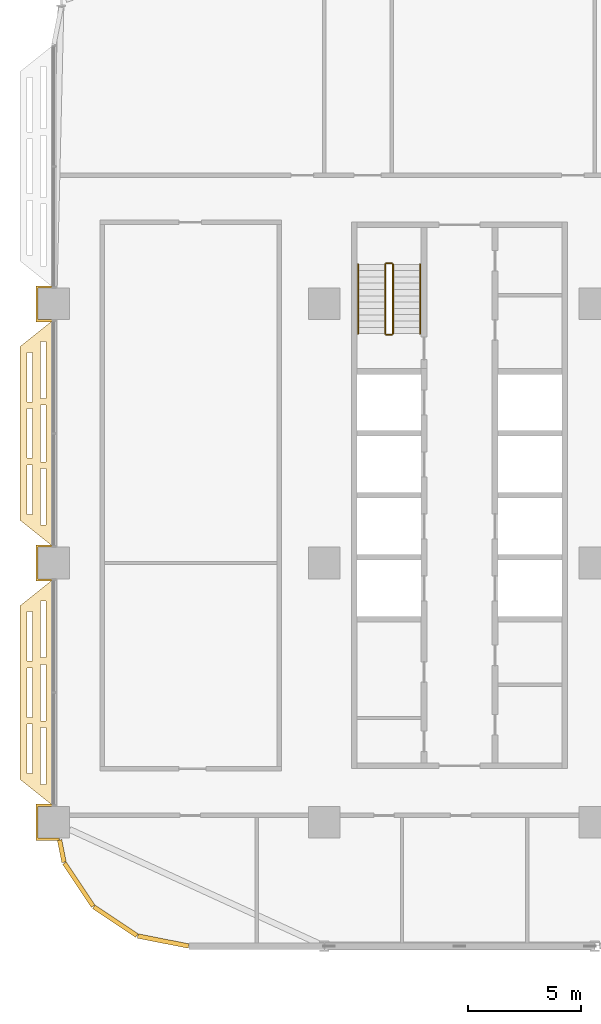
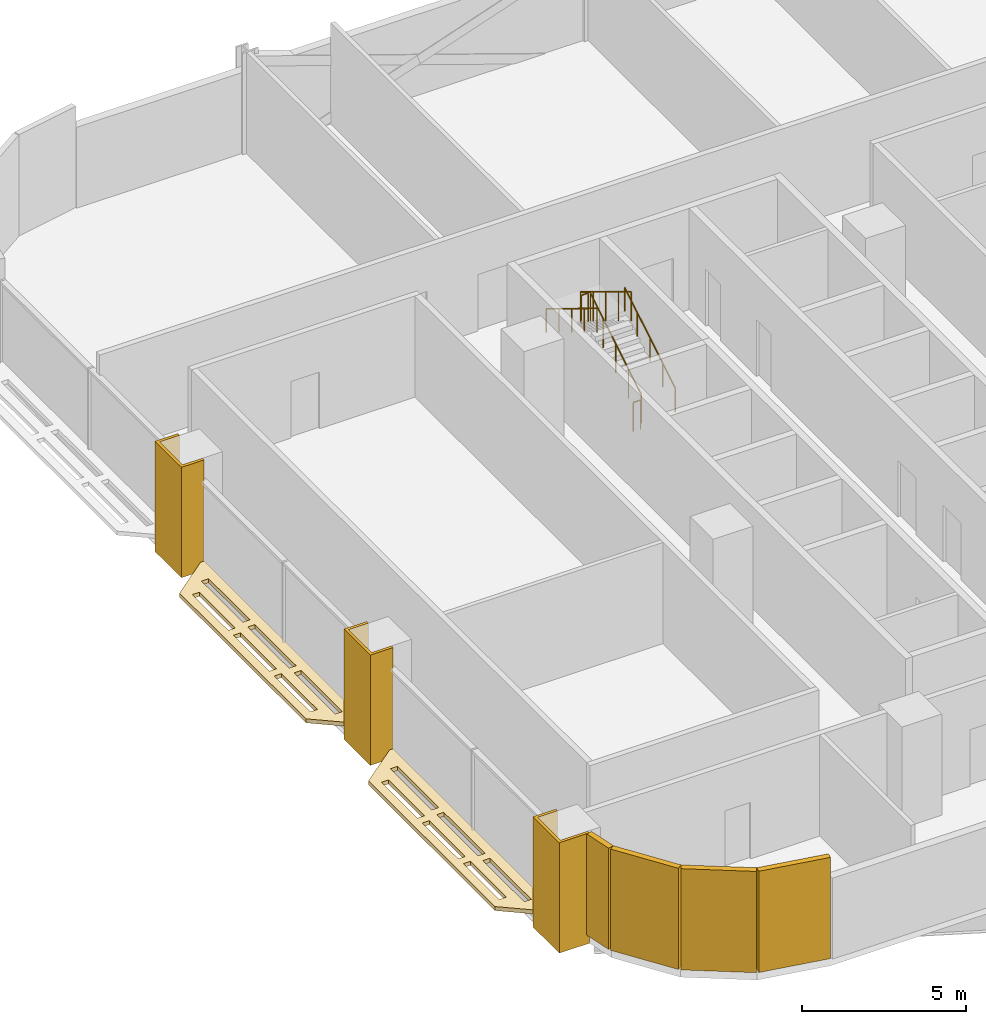
# One storey, part 23 of 29: 9 coverings, 6 railings.
"""IFC4 building model written with IfcOpenShell, lengths in metres."""

from ifc_helpers import new_model, si_unit, direction, frame, origin, origin_2d, place, context, subcontext, project, spatial, polyline, rectangle, circle, outline, extrude, material, layer, layer_set, type_object, element, save


model = new_model("IFC4")

# Units and contexts
model_context = context("Model", 3, precision=1e-05, world=origin(), true_north=direction((0.0, 1.0)))
body_context = subcontext(model_context, "Body", "Model", "MODEL_VIEW")
ifc_project = project(units=[si_unit("LENGTHUNIT", "METRE"), si_unit("AREAUNIT", "SQUARE_METRE"), si_unit("VOLUMEUNIT", "CUBIC_METRE"), si_unit("PLANEANGLEUNIT", "RADIAN"), si_unit("MASSUNIT", "GRAM", prefix="KILO")], contexts=[model_context])

# Site, building, storey
site_placement = place(None, origin())
site = spatial("IfcSite", under=ifc_project, at=site_placement, CompositionType="ELEMENT")
building_placement = place(site_placement, origin())
building = spatial("IfcBuilding", under=site, at=building_placement, Name="Mahtab Terrace Research Tower", CompositionType="ELEMENT")
storey_placement = place(building_placement, frame((0.0, 0.0, 88.89990234375)))
storey = spatial("IfcBuildingStorey", under=building, at=storey_placement, Name="L20", CompositionType="ELEMENT", Elevation=88.89990234375)

# Coverings
ifc_material_1 = material(Name="Black aluminium cladding panel", Category="aluminium")
ifc_layer_1 = layer(ifc_material_1, 0.199951171875)
ifc_layer_set_1 = layer_set([ifc_layer_1], Name="Black metal corner cladding 200")
covering_type_1 = type_object("IfcCoveringType", Name="Black metal corner cladding 200", PredefinedType="CLADDING", material=ifc_layer_set_1)
covering_1_placement = place(storey_placement, frame((-41.645263671875, -12.782470703125, 0.0), z_axis=(0.0, 0.0, 1.0), x_axis=(0.195212442692, -0.980760981187, 0.0)))
element("IfcCovering", 1, at=covering_1_placement, inside=storey, type_object=covering_type_1, Name="Corner cladding L20 19", PredefinedType="CLADDING", context=body_context, shape_type="SweptSolid", body=[
    extrude(rectangle(XDim=1.007568359375, YDim=0.199951171875, at=origin_2d()), origin(), (0.0, 0.0, 1.0), 3.760009765625),
])
for number, where, z_axis, x_axis, name in (
    (2, (-40.89306640625, -14.26953125, 0.0), (0.0, 0.0, 1.0), (0.555291490808, -0.831655794326, 0.0), "Corner cladding L20 20"),
    (3, (-39.26953125, -15.89306640625, 0.0), (0.0, 0.0, 1.0), (0.831655794326, -0.555291490808, 0.0), "Corner cladding L20 21"),
    (4, (-37.14794921875, -16.771484375, 0.0), (0.0, 0.0, 1.0), (0.980760981187, -0.195212442692, 0.0), "Corner cladding L20 22"),
):
    element("IfcCovering", number, at=place(storey_placement, frame(where, z_axis=z_axis, x_axis=x_axis)), inside=storey, type_object=covering_type_1, Name=name, PredefinedType="CLADDING", context=body_context, shape_type="SweptSolid", body=[
        extrude(rectangle(XDim=2.30126953125, YDim=0.199951171875, at=origin_2d()), origin(), (0.0, 0.0, 1.0), 3.760009765625),
    ])
ifc_material_2 = material(Name="Dark anodised aluminium cladding", Category="aluminium")
ifc_layer_2 = layer(ifc_material_2, 0.10009765625)
ifc_layer_set_2 = layer_set([ifc_layer_2], Name="Column casing 100")
covering_type_2 = type_object("IfcCoveringType", Name="Column casing 100", PredefinedType="CLADDING", material=ifc_layer_set_2)
covering_2_placement = place(storey_placement, frame((0.0, 0.0, -0.33984375)))
element("IfcCovering", 5, at=covering_2_placement, inside=storey, type_object=covering_type_2, Name="Column casing RC-1A L20", PredefinedType="CLADDING", context=body_context, shape_type="SweptSolid", body=[
    extrude(outline(polyline([(-42.800048828125, -10.699951171875), (-42.0, -10.699951171875), (-42.0, -10.800048828125), (-42.699951171875, -10.800048828125), (-42.699951171875, -12.199951171875), (-41.760986328125, -12.199951171875), (-41.740966796875, -12.300048828125), (-42.800048828125, -12.300048828125), (-42.800048828125, -10.699951171875)])), origin(), (0.0, 0.0, 1.0), 4.099853515625),
])
covering_3_placement = place(storey_placement, frame((0.0, 0.0, -0.33984375)))
element("IfcCovering", 6, at=covering_3_placement, inside=storey, type_object=covering_type_2, Name="Column casing RC-1B L20", PredefinedType="CLADDING", context=body_context, shape_type="SweptSolid", body=[
    extrude(outline(polyline([(-42.800048828125, 0.800048828125), (-42.0, 0.800048828125), (-42.0, 0.699951171875), (-42.699951171875, 0.699951171875), (-42.699951171875, -0.699951171875), (-42.0, -0.699951171875), (-42.0, -0.800048828125), (-42.800048828125, -0.800048828125), (-42.800048828125, 0.800048828125)])), origin(), (0.0, 0.0, 1.0), 4.099853515625),
])
covering_4_placement = place(storey_placement, frame((0.0, 0.0, -0.33984375)))
element("IfcCovering", 7, at=covering_4_placement, inside=storey, type_object=covering_type_2, Name="Column casing RC-1C L20", PredefinedType="CLADDING", context=body_context, shape_type="SweptSolid", body=[
    extrude(outline(polyline([(-42.800048828125, 12.300048828125), (-42.0, 12.300048828125), (-42.0, 12.199951171875), (-42.699951171875, 12.199951171875), (-42.699951171875, 10.800048828125), (-42.0, 10.800048828125), (-42.0, 10.699951171875), (-42.800048828125, 10.699951171875), (-42.800048828125, 12.300048828125)])), origin(), (0.0, 0.0, 1.0), 4.099853515625),
])
ifc_material_3 = material(Name="Black anodised aluminium", Category="aluminium")
ifc_layer_3 = layer(ifc_material_3, 0.14990234375)
ifc_layer_set_3 = layer_set([ifc_layer_3], Name="Horizontal sunshade band")
covering_type_3 = type_object("IfcCoveringType", Name="Horizontal sunshade band", PredefinedType="CLADDING", material=ifc_layer_set_3)
covering_5_placement = place(storey_placement, frame((0.0, 0.0, -0.14990234375)))
element("IfcCovering", 8, at=covering_5_placement, inside=storey, type_object=covering_type_3, Name="Sunshade band L20 17", PredefinedType="CLADDING", context=body_context, shape_type="SweptSolid", body=[
    extrude(outline(polyline([(-42.0, 10.800048828125), (-42.0, 0.699951171875), (-43.5, 1.89990234375), (-43.5, 9.60009765625), (-42.0, 10.800048828125)]), holes=[polyline([(-42.35009765625, 9.820068359375), (-42.35009765625, 7.306884765625), (-42.60009765625, 7.306884765625), (-42.60009765625, 9.820068359375), (-42.35009765625, 9.820068359375)]), polyline([(-42.35009765625, 7.007080078125), (-42.35009765625, 4.492919921875), (-42.60009765625, 4.492919921875), (-42.60009765625, 7.007080078125), (-42.35009765625, 7.007080078125)]), polyline([(-42.35009765625, 4.193115234375), (-42.35009765625, 1.679931640625), (-42.60009765625, 1.679931640625), (-42.60009765625, 4.193115234375), (-42.35009765625, 4.193115234375)]), polyline([(-42.949951171875, 9.340087890625), (-42.949951171875, 7.14697265625), (-43.199951171875, 7.14697265625), (-43.199951171875, 9.340087890625), (-42.949951171875, 9.340087890625)]), polyline([(-42.949951171875, 6.846923828125), (-42.949951171875, 4.653076171875), (-43.199951171875, 4.653076171875), (-43.199951171875, 6.846923828125), (-42.949951171875, 6.846923828125)]), polyline([(-42.949951171875, 4.35302734375), (-42.949951171875, 2.159912109375), (-43.199951171875, 2.159912109375), (-43.199951171875, 4.35302734375), (-42.949951171875, 4.35302734375)])]), origin(), (0.0, 0.0, 1.0), 0.14990234375),
])
covering_6_placement = place(storey_placement, frame((0.0, 0.0, -0.14990234375)))
element("IfcCovering", 9, at=covering_6_placement, inside=storey, type_object=covering_type_3, Name="Sunshade band L20 18", PredefinedType="CLADDING", context=body_context, shape_type="SweptSolid", body=[
    extrude(outline(polyline([(-42.0, -0.699951171875), (-42.0, -10.800048828125), (-43.5, -9.60009765625), (-43.5, -1.89990234375), (-42.0, -0.699951171875)]), holes=[polyline([(-42.35009765625, -1.679931640625), (-42.35009765625, -4.193115234375), (-42.60009765625, -4.193115234375), (-42.60009765625, -1.679931640625), (-42.35009765625, -1.679931640625)]), polyline([(-42.35009765625, -4.492919921875), (-42.35009765625, -7.007080078125), (-42.60009765625, -7.007080078125), (-42.60009765625, -4.492919921875), (-42.35009765625, -4.492919921875)]), polyline([(-42.35009765625, -7.306884765625), (-42.35009765625, -9.820068359375), (-42.60009765625, -9.820068359375), (-42.60009765625, -7.306884765625), (-42.35009765625, -7.306884765625)]), polyline([(-42.949951171875, -2.159912109375), (-42.949951171875, -4.35302734375), (-43.199951171875, -4.35302734375), (-43.199951171875, -2.159912109375), (-42.949951171875, -2.159912109375)]), polyline([(-42.949951171875, -4.653076171875), (-42.949951171875, -6.846923828125), (-43.199951171875, -6.846923828125), (-43.199951171875, -4.653076171875), (-42.949951171875, -4.653076171875)]), polyline([(-42.949951171875, -7.14697265625), (-42.949951171875, -9.340087890625), (-43.199951171875, -9.340087890625), (-43.199951171875, -7.14697265625), (-42.949951171875, -7.14697265625)])]), origin(), (0.0, 0.0, 1.0), 0.14990234375),
])

# Railings
ifc_material_4 = material(Name="Stainless steel AISI 304", Category="steel")
railing_type_1 = type_object("IfcRailingType", Name="Stair guard 1100", PredefinedType="GUARDRAIL", material=ifc_material_4)
railing_1_placement = place(storey_placement, frame((-26.949951171875, 10.175048828125, 0.1708984375)))
element("IfcRailing", 10, at=railing_1_placement, inside=storey, type_object=railing_type_1, Name="L20 ST1 stair guard 1", PredefinedType="GUARDRAIL", context=body_context, shape_type="SweptSolid", body=[
    extrude(circle(Radius=0.02392578125, at=origin_2d()), frame((0.0, 0.0, 1.076171875), z_axis=(0.0, 0.853647949592, 0.520850437417), x_axis=(-1.0, 0.0, 0.0)), (0.0, 0.0, 1.0), 3.60791015625),
    extrude(circle(Radius=0.02099609375, at=origin_2d()), origin(), (0.0, 0.0, 1.0), 1.052001953125),
    extrude(circle(Radius=0.02099609375, at=origin_2d()), frame((0.0, 0.77001953125, 0.4697265625)), (0.0, 0.0, 1.0), 1.052001953125),
    extrude(circle(Radius=0.02099609375, at=origin_2d()), frame((0.0, 1.5400390625, 0.939453125)), (0.0, 0.0, 1.0), 1.052001953125),
    extrude(circle(Radius=0.02099609375, at=origin_2d()), frame((0.0, 2.309814453125, 1.409423828125)), (0.0, 0.0, 1.0), 1.052001953125),
    extrude(circle(Radius=0.02099609375, at=origin_2d()), frame((0.0, 3.079833984375, 1.879150390625)), (0.0, 0.0, 1.0), 1.052001953125),
])
railing_2_placement = place(storey_placement, frame((-27.0, 13.304931640625, 2.050048828125)))
element("IfcRailing", 11, at=railing_2_placement, inside=storey, type_object=railing_type_1, Name="L20 ST1 stair guard 2", PredefinedType="GUARDRAIL", context=body_context, shape_type="SweptSolid", body=[
    extrude(circle(Radius=0.02392578125, at=origin_2d()), frame((0.0, 0.0, 1.076171875), z_axis=(-1.0, 0.0, 0.0), x_axis=(0.0, -1.0, 0.0)), (0.0, 0.0, 1.0), 0.25),
    extrude(circle(Radius=0.02099609375, at=origin_2d()), origin(), (0.0, 0.0, 1.0), 1.052001953125),
    extrude(circle(Radius=0.02099609375, at=origin_2d()), frame((-0.25, 0.0, 0.0)), (0.0, 0.0, 1.0), 1.052001953125),
])
railing_3_placement = place(storey_placement, frame((-27.300048828125, 13.2548828125, 2.220947265625)))
element("IfcRailing", 12, at=railing_3_placement, inside=storey, type_object=railing_type_1, Name="L20 ST1 stair guard 3", PredefinedType="GUARDRAIL", context=body_context, shape_type="SweptSolid", body=[
    extrude(circle(Radius=0.02392578125, at=origin_2d()), frame((0.0, 0.0, 1.076171875), z_axis=(0.0, -0.853647949592, 0.520850437417), x_axis=(1.0, 0.0, 0.0)), (0.0, 0.0, 1.0), 3.60791015625),
    extrude(circle(Radius=0.02099609375, at=origin_2d()), origin(), (0.0, 0.0, 1.0), 1.052001953125),
    extrude(circle(Radius=0.02099609375, at=origin_2d()), frame((0.0, -0.77001953125, 0.4697265625)), (0.0, 0.0, 1.0), 1.052001953125),
    extrude(circle(Radius=0.02099609375, at=origin_2d()), frame((0.0, -1.5400390625, 0.939453125)), (0.0, 0.0, 1.0), 1.052001953125),
    extrude(circle(Radius=0.02099609375, at=origin_2d()), frame((0.0, -2.309814453125, 1.409423828125)), (0.0, 0.0, 1.0), 1.052001953125),
    extrude(circle(Radius=0.02099609375, at=origin_2d()), frame((0.0, -3.079833984375, 1.879150390625)), (0.0, 0.0, 1.0), 1.052001953125),
])
railing_4_placement = place(storey_placement, frame((-27.0, 10.125, 0.0)))
element("IfcRailing", 13, at=railing_4_placement, inside=storey, type_object=railing_type_1, Name="L20 ST1 stair guard 4", PredefinedType="GUARDRAIL", context=body_context, shape_type="SweptSolid", body=[
    extrude(circle(Radius=0.02392578125, at=origin_2d()), frame((0.0, 0.0, 1.076171875), z_axis=(-1.0, 0.0, 0.0), x_axis=(0.0, -1.0, 0.0)), (0.0, 0.0, 1.0), 0.25),
    extrude(circle(Radius=0.02099609375, at=origin_2d()), origin(), (0.0, 0.0, 1.0), 1.052001953125),
    extrude(circle(Radius=0.02099609375, at=origin_2d()), frame((-0.25, 0.0, 0.0)), (0.0, 0.0, 1.0), 1.052001953125),
])
railing_type_2 = type_object("IfcRailingType", Name="Stair handrail 900", PredefinedType="HANDRAIL", material=ifc_material_4)
railing_5_placement = place(storey_placement, frame((-25.75, 10.175048828125, 0.1708984375)))
element("IfcRailing", 14, at=railing_5_placement, inside=storey, type_object=railing_type_2, Name="L20 ST1 stair handrail 1", PredefinedType="HANDRAIL", context=body_context, shape_type="SweptSolid", body=[
    extrude(circle(Radius=0.02392578125, at=origin_2d()), frame((0.0, 0.0, 0.8759765625), z_axis=(0.0, 0.853647949592, 0.520850437417), x_axis=(-1.0, 0.0, 0.0)), (0.0, 0.0, 1.0), 3.60791015625),
    extrude(circle(Radius=0.02099609375, at=origin_2d()), origin(), (0.0, 0.0, 1.0), 0.851806640625),
    extrude(circle(Radius=0.02099609375, at=origin_2d()), frame((0.0, 0.77001953125, 0.4697265625)), (0.0, 0.0, 1.0), 0.851806640625),
    extrude(circle(Radius=0.02099609375, at=origin_2d()), frame((0.0, 1.5400390625, 0.939453125)), (0.0, 0.0, 1.0), 0.851806640625),
    extrude(circle(Radius=0.02099609375, at=origin_2d()), frame((0.0, 2.309814453125, 1.409423828125)), (0.0, 0.0, 1.0), 0.851806640625),
    extrude(circle(Radius=0.02099609375, at=origin_2d()), frame((0.0, 3.079833984375, 1.879150390625)), (0.0, 0.0, 1.0), 0.851806640625),
])
railing_6_placement = place(storey_placement, frame((-28.5, 13.2548828125, 2.220947265625)))
element("IfcRailing", 15, at=railing_6_placement, inside=storey, type_object=railing_type_2, Name="L20 ST1 stair handrail 2", PredefinedType="HANDRAIL", context=body_context, shape_type="SweptSolid", body=[
    extrude(circle(Radius=0.02392578125, at=origin_2d()), frame((0.0, 0.0, 0.8759765625), z_axis=(0.0, -0.853647949592, 0.520850437417), x_axis=(1.0, 0.0, 0.0)), (0.0, 0.0, 1.0), 3.60791015625),
    extrude(circle(Radius=0.02099609375, at=origin_2d()), origin(), (0.0, 0.0, 1.0), 0.851806640625),
    extrude(circle(Radius=0.02099609375, at=origin_2d()), frame((0.0, -0.77001953125, 0.4697265625)), (0.0, 0.0, 1.0), 0.851806640625),
    extrude(circle(Radius=0.02099609375, at=origin_2d()), frame((0.0, -1.5400390625, 0.939453125)), (0.0, 0.0, 1.0), 0.851806640625),
    extrude(circle(Radius=0.02099609375, at=origin_2d()), frame((0.0, -2.309814453125, 1.409423828125)), (0.0, 0.0, 1.0), 0.851806640625),
    extrude(circle(Radius=0.02099609375, at=origin_2d()), frame((0.0, -3.079833984375, 1.879150390625)), (0.0, 0.0, 1.0), 0.851806640625),
])

save(model, "model.ifc")
